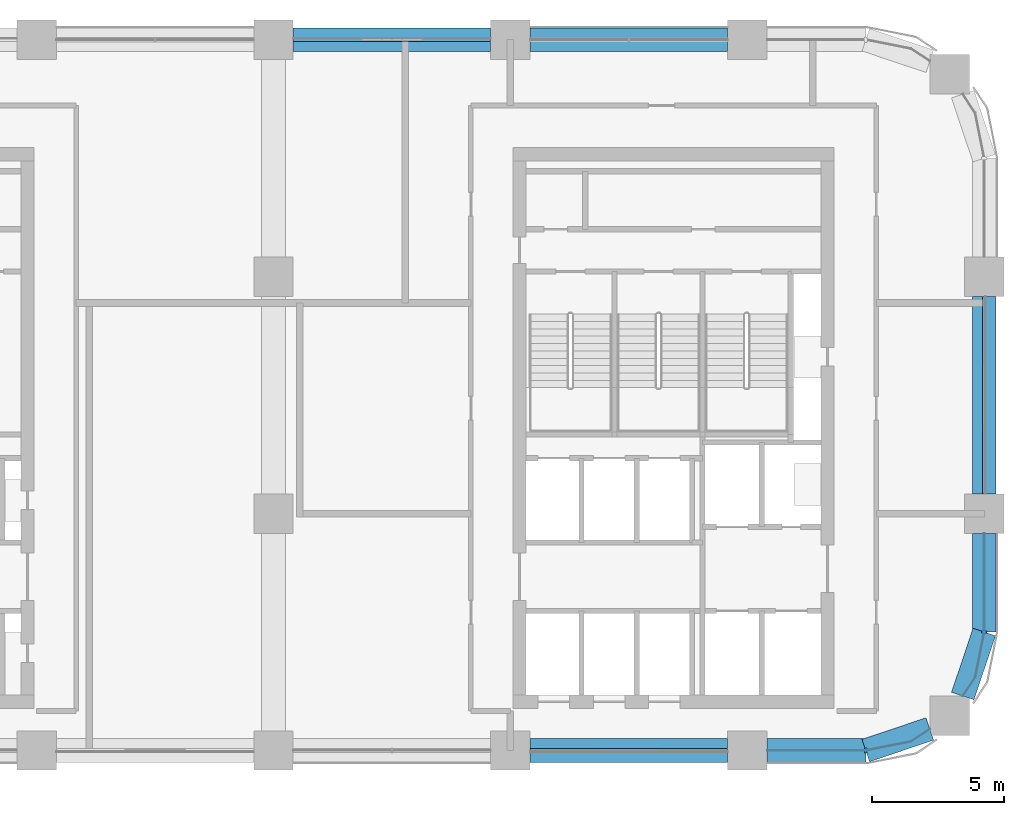
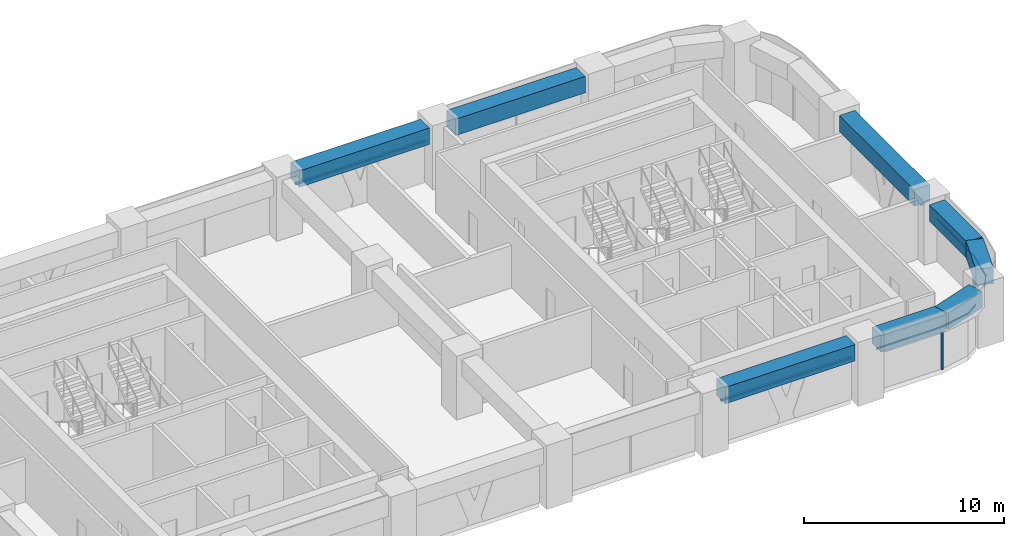
# One storey, part 5 of 14: 8 beams, 7 members, 5 elements without a shape of their own.
"""IFC4 building model written with IfcOpenShell, lengths in metres."""

from ifc_helpers import new_model, si_unit, direction, frame, origin, origin_2d, place, context, subcontext, project, spatial, polyline, rectangle, outline, extrude, material, material_profile, profile_set, type_object, element, aggregate, save


model = new_model("IFC4")

# Units and contexts
model_context = context("Model", 3, precision=1e-05, world=origin(), true_north=direction((0.0, 1.0)))
body_context = subcontext(model_context, "Body", "Model", "MODEL_VIEW")
ifc_project = project(units=[si_unit("LENGTHUNIT", "METRE"), si_unit("AREAUNIT", "SQUARE_METRE"), si_unit("VOLUMEUNIT", "CUBIC_METRE"), si_unit("PLANEANGLEUNIT", "RADIAN"), si_unit("MASSUNIT", "GRAM", prefix="KILO")], contexts=[model_context])

# Site, building, storey
site_placement = place(None, origin())
site = spatial("IfcSite", under=ifc_project, at=site_placement, CompositionType="ELEMENT")
building_placement = place(site_placement, origin())
building = spatial("IfcBuilding", under=site, at=building_placement, Name="Tessera Arch", CompositionType="ELEMENT")
storey_placement = place(building_placement, frame((0.0, 0.0, 138.800048828125)))
storey = spatial("IfcBuildingStorey", under=building, at=storey_placement, Name="L32", CompositionType="ELEMENT", Elevation=138.800048828125)

# Curtain wall, member
ifc_material_1 = material(Name="CW2 curtain wall")
curtain_wall_type_1 = type_object("IfcCurtainWallType", Name="CW2 curtain wall", PredefinedType="NOTDEFINED", material=ifc_material_1)
curtain_wall_1_placement = place(storey_placement, origin())
curtain_wall_1 = element("IfcCurtainWall", 1, at=curtain_wall_1_placement, inside=storey, type_object=curtain_wall_type_1, Name="CW2 curtain wall S27.0/5 L32", PredefinedType="NOTDEFINED")
ifc_material_2 = material(Name="Anodised aluminium pale metal", Category="aluminium")
ifc_material_profile_1 = material_profile(ifc_material_2, rectangle(XDim=0.199951171875, YDim=0.080078125, at=origin_2d()), Name="AL 80x200")
ifc_profile_set_1 = profile_set([ifc_material_profile_1], Name="Anodised aluminium pale metal")
member_type_1 = type_object("IfcMemberType", Name="CW2 mullion", PredefinedType="MULLION", material=ifc_profile_set_1)
member_1_placement = place(storey_placement, frame((49.5, 27.0, 0.0), z_axis=(0.0, 0.0, 1.0), x_axis=(0.0, 1.0, 0.0)))
member_1 = element("IfcMember", 2, at=member_1_placement, type_object=member_type_1, Name="CW2 mullion S27.0/5 1", PredefinedType="MULLION", context=body_context, shape_type="SweptSolid", body=[
    extrude(rectangle(XDim=0.199951171875, YDim=0.080078125, at=origin_2d()), origin(), (0.0, 0.0, 1.0), 2.5),
])

curtain_wall_2_placement = place(storey_placement, origin())
curtain_wall_2 = element("IfcCurtainWall", 3, at=curtain_wall_2_placement, inside=storey, type_object=curtain_wall_type_1, Name="CW2 curtain wall E54.27/2 L32", PredefinedType="NOTDEFINED")
member_2_placement = place(storey_placement, frame((54.0, 31.5, 0.0), z_axis=(0.0, 0.0, 1.0), x_axis=(-1.0, 0.0, 0.0)))
member_2 = element("IfcMember", 4, at=member_2_placement, type_object=member_type_1, Name="CW2 mullion E54.27/2 1", PredefinedType="MULLION", context=body_context, shape_type="SweptSolid", body=[
    extrude(rectangle(XDim=0.199951171875, YDim=0.080078125, at=origin_2d()), origin(), (0.0, 0.0, 1.0), 2.5),
])

# Member
ifc_material_3 = material(Name="Anodised aluminium pale metal", Category="aluminium")
ifc_material_profile_2 = material_profile(ifc_material_3, rectangle(XDim=0.199951171875, YDim=0.10009765625, at=origin_2d()), Name="AL 200x100")
ifc_profile_set_2 = profile_set([ifc_material_profile_2], Name="Anodised aluminium pale metal")
member_type_2 = type_object("IfcMemberType", Name="CW2 transom", PredefinedType="USERDEFINED", material=ifc_profile_set_2)
member_3_placement = place(storey_placement, frame((0.0, 0.0, 2.5)))
member_3 = element("IfcMember", 5, at=member_3_placement, type_object=member_type_2, Name="CW2 transom S27.0/5 1", ObjectType="TRANSOM", PredefinedType="USERDEFINED", context=body_context, shape_type="SweptSolid", body=[
    extrude(outline(polyline([(49.4990234375, 27.010009765625), (45.75, 27.010009765625), (45.75, 26.989990234375), (49.5009765625, 26.989990234375), (51.22607421875, 27.3330078125), (51.9375, 27.80859375), (51.926513671875, 27.8251953125), (51.21826171875, 27.351806640625), (49.4990234375, 27.010009765625)])), origin(), (0.0, 0.0, 1.0), 0.099853515625),
])

aggregate(curtain_wall_1, [member_1, member_3])

member_4_placement = place(storey_placement, frame((0.0, 0.0, 2.5)))
member_4 = element("IfcMember", 6, at=member_4_placement, type_object=member_type_2, Name="CW2 transom E54.27/2 1", ObjectType="TRANSOM", PredefinedType="USERDEFINED", context=body_context, shape_type="SweptSolid", body=[
    extrude(outline(polyline([(53.648193359375, 29.78173828125), (53.1748046875, 29.073486328125), (53.19140625, 29.0625), (53.6669921875, 29.77392578125), (54.010009765625, 31.4990234375), (54.010009765625, 35.25), (53.989990234375, 35.25), (53.989990234375, 31.5009765625), (53.648193359375, 29.78173828125)])), origin(), (0.0, 0.0, 1.0), 0.099853515625),
])

aggregate(curtain_wall_2, [member_2, member_4])

# Curtain wall, member
ifc_material_4 = material(Name="CW3 curtain wall")
curtain_wall_type_2 = type_object("IfcCurtainWallType", Name="CW3 curtain wall", PredefinedType="NOTDEFINED", material=ifc_material_4)
curtain_wall_3_placement = place(storey_placement, origin())
curtain_wall_3 = element("IfcCurtainWall", 7, at=curtain_wall_3_placement, inside=storey, type_object=curtain_wall_type_2, Name="CW3 curtain wall E54.27/0 L32", PredefinedType="NOTDEFINED")
ifc_material_5 = material(Name="Anodised aluminium pale metal", Category="aluminium")
ifc_material_profile_3 = material_profile(ifc_material_5, rectangle(XDim=0.139892578125, YDim=0.10009765625, at=origin_2d()), Name="AL 140x100")
ifc_profile_set_3 = profile_set([ifc_material_profile_3], Name="Anodised aluminium pale metal")
member_type_3 = type_object("IfcMemberType", Name="CW3 transom", PredefinedType="USERDEFINED", material=ifc_profile_set_3)
member_5_placement = place(storey_placement, frame((54.0, 36.75, 2.550048828125), z_axis=(0.0, 1.0, 0.0), x_axis=(-1.0, 0.0, 0.0)))
member_5 = element("IfcMember", 8, at=member_5_placement, type_object=member_type_3, Name="CW3 transom E54.27/0 1.1", ObjectType="TRANSOM", PredefinedType="USERDEFINED", context=body_context, shape_type="SweptSolid", body=[
    extrude(rectangle(XDim=0.139892578125, YDim=0.10009765625, at=origin_2d()), origin(), (0.0, 0.0, 1.0), 7.5),
])
aggregate(curtain_wall_3, [member_5])

curtain_wall_4_placement = place(storey_placement, origin())
curtain_wall_4 = element("IfcCurtainWall", 9, at=curtain_wall_4_placement, inside=storey, type_object=curtain_wall_type_2, Name="CW3 curtain wall N54.0/2 L32", PredefinedType="NOTDEFINED")
member_6_placement = place(storey_placement, frame((35.25, 54.0, 2.550048828125), z_axis=(-1.0, 0.0, 0.0), x_axis=(0.0, -1.0, 0.0)))
member_6 = element("IfcMember", 10, at=member_6_placement, type_object=member_type_3, Name="CW3 transom N54.0/2 1.1", ObjectType="TRANSOM", PredefinedType="USERDEFINED", context=body_context, shape_type="SweptSolid", body=[
    extrude(rectangle(XDim=0.139892578125, YDim=0.10009765625, at=origin_2d()), origin(), (0.0, 0.0, 1.0), 7.5),
])
aggregate(curtain_wall_4, [member_6])

curtain_wall_5_placement = place(storey_placement, origin())
curtain_wall_5 = element("IfcCurtainWall", 11, at=curtain_wall_5_placement, inside=storey, type_object=curtain_wall_type_2, Name="CW3 curtain wall S27.0/4 L32", PredefinedType="NOTDEFINED")
member_7_placement = place(storey_placement, frame((36.75, 27.0, 2.550048828125), z_axis=(1.0, 0.0, 0.0), x_axis=(0.0, 1.0, 0.0)))
member_7 = element("IfcMember", 12, at=member_7_placement, type_object=member_type_3, Name="CW3 transom S27.0/4 1.1", ObjectType="TRANSOM", PredefinedType="USERDEFINED", context=body_context, shape_type="SweptSolid", body=[
    extrude(rectangle(XDim=0.139892578125, YDim=0.10009765625, at=origin_2d()), origin(), (0.0, 0.0, 1.0), 7.5),
])
aggregate(curtain_wall_5, [member_7])

# Beams
ifc_material_6 = material(Name="Concrete C70/85", Category="concrete")
ifc_material_profile_4 = material_profile(ifc_material_6, rectangle(XDim=0.89990234375, YDim=1.0, at=origin_2d()), Name="RC spandrel beam 900 x 1000 Concrete C70/85")
ifc_profile_set_4 = profile_set([ifc_material_profile_4], Name="Concrete C70/85")
beam_type = type_object("IfcBeamType", Name="RC spandrel beam 900 x 1000 Concrete C70/85", PredefinedType="BEAM", material=ifc_profile_set_4)
for number, where, z_axis, x_axis, name in (
    (13, (54.0, 36.75, 3.099853515625), (0.0, 1.0, 0.0), (-1.0, 0.0, 0.0), "Spandrel beam L32 E54.27/0"),
    (14, (44.25, 54.0, 3.099853515625), (-1.0, 0.0, 0.0), (0.0, -1.0, 0.0), "Spandrel beam L32 N54.0/1"),
    (15, (35.25, 54.0, 3.099853515625), (-1.0, 0.0, 0.0), (0.0, -1.0, 0.0), "Spandrel beam L32 N54.0/2"),
    (16, (36.75, 27.0, 3.099853515625), (1.0, 0.0, 0.0), (0.0, 1.0, 0.0), "Spandrel beam L32 S27.0/4"),
):
    element("IfcBeam", number, at=place(storey_placement, frame(where, z_axis=z_axis, x_axis=x_axis)), inside=storey, type_object=beam_type, Name=name, PredefinedType="BEAM", context=body_context, shape_type="SweptSolid", body=[
        extrude(rectangle(XDim=0.89990234375, YDim=1.0, at=origin_2d()), origin(), (0.0, 0.0, 1.0), 7.5),
    ])
beam_1_placement = place(storey_placement, frame((45.75, 27.0, 3.099853515625), z_axis=(1.0, 0.0, 0.0), x_axis=(0.0, 1.0, 0.0)))
element("IfcBeam", 17, at=beam_1_placement, inside=storey, type_object=beam_type, Name="Spandrel beam L32 S27.0/5.1", PredefinedType="BEAM", context=body_context, shape_type="SweptSolid", body=[
    extrude(rectangle(XDim=0.89990234375, YDim=1.0, at=origin_2d()), origin(), (0.0, 0.0, 1.0), 3.75),
])
for number, where, z_axis, x_axis, name in (
    (18, (49.5, 27.0, 3.099853515625), (0.947947973234, 0.31842525032, 0.0), (-0.31842525032, 0.947947973234, 0.0), "Spandrel beam L32 S27.0/5.2"),
    (19, (53.18310546875, 29.068115234375, 3.099853515625), (0.31842525032, 0.947947973234, 0.0), (-0.947947973234, 0.31842525032, 0.0), "Spandrel beam L32 E54.27/2.1"),
):
    element("IfcBeam", number, at=place(storey_placement, frame(where, z_axis=z_axis, x_axis=x_axis)), inside=storey, type_object=beam_type, Name=name, PredefinedType="BEAM", context=body_context, shape_type="SweptSolid", body=[
        extrude(rectangle(XDim=0.89990234375, YDim=1.0, at=origin_2d()), origin(), (0.0, 0.0, 1.0), 2.5654296875),
    ])
beam_2_placement = place(storey_placement, frame((54.0, 31.5, 3.099853515625), z_axis=(0.0, 1.0, 0.0), x_axis=(-1.0, 0.0, 0.0)))
element("IfcBeam", 20, at=beam_2_placement, inside=storey, type_object=beam_type, Name="Spandrel beam L32 E54.27/2.2", PredefinedType="BEAM", context=body_context, shape_type="SweptSolid", body=[
    extrude(rectangle(XDim=0.89990234375, YDim=1.0, at=origin_2d()), origin(), (0.0, 0.0, 1.0), 3.75),
])

save(model, "model.ifc")
